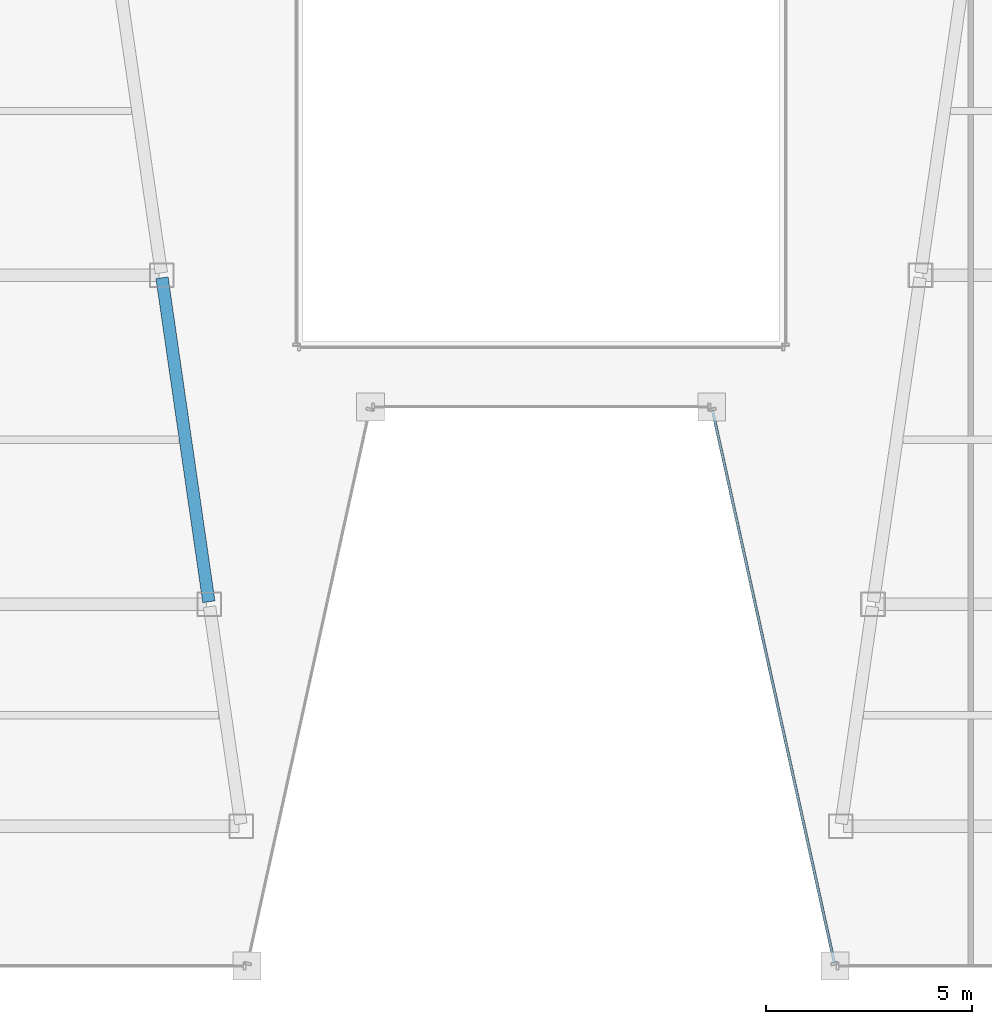
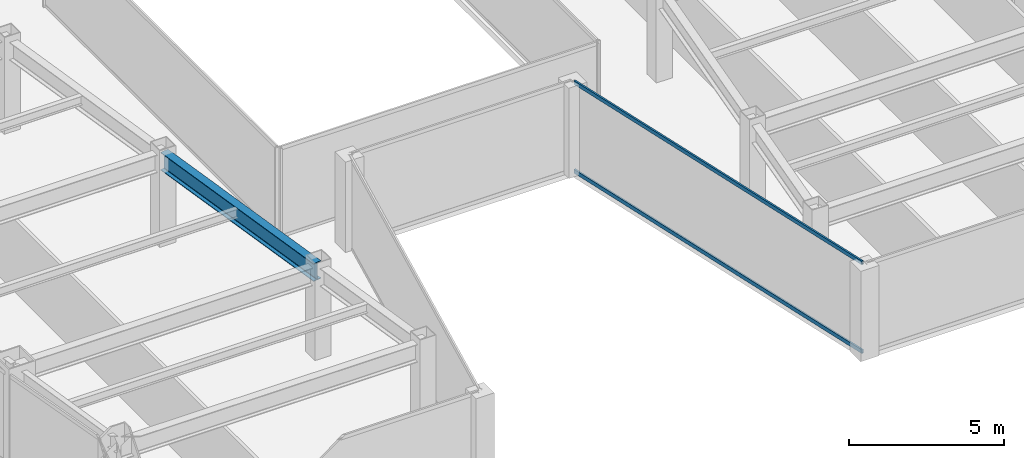
# One storey, part 6 of 37: 2 members, 1 beam, 1 element without a shape of its own.
"""IFC4 building model written with IfcOpenShell, lengths in metres."""

from ifc_helpers import new_model, si_unit, direction, frame, origin, origin_2d, place, context, subcontext, project, spatial, hollow_rectangle, i_section, extrude, material, material_profile, profile_set, type_object, element, aggregate, save


model = new_model("IFC4")

# Units and contexts
model_context = context("Model", 3, precision=1e-05, world=origin(), true_north=direction((0.0, 1.0)))
body_context = subcontext(model_context, "Body", "Model", "MODEL_VIEW")
ifc_project = project(units=[si_unit("LENGTHUNIT", "METRE"), si_unit("AREAUNIT", "SQUARE_METRE"), si_unit("VOLUMEUNIT", "CUBIC_METRE"), si_unit("PLANEANGLEUNIT", "RADIAN"), si_unit("MASSUNIT", "GRAM", prefix="KILO")], contexts=[model_context])

# Site, building, storey
site_placement = place(None, origin())
site = spatial("IfcSite", under=ifc_project, at=site_placement, CompositionType="ELEMENT")
building_placement = place(site_placement, origin())
building = spatial("IfcBuilding", under=site, at=building_placement, Name="Saevonmaru Cultural Tower", CompositionType="ELEMENT")
storey_placement = place(building_placement, frame((0.0, 0.0, 144.800048828125)))
storey = spatial("IfcBuildingStorey", under=building, at=storey_placement, Name="L31", CompositionType="ELEMENT", Elevation=144.800048828125)

# Beam
ifc_material_1 = material(Name="Steel SM355", Category="steel")
ifc_material_profile_1 = material_profile(ifc_material_1, i_section(OverallWidth=0.300048828125, OverallDepth=0.699951171875, WebThickness=0.012939453125, FlangeThickness=0.02392578125, FilletRadius=0.02587890625, at=origin_2d()), Name="H-700x300x13x24")
ifc_profile_set_1 = profile_set([ifc_material_profile_1], Name="Steel SM355")
beam_type = type_object("IfcBeamType", Name="BM-G-H700", PredefinedType="BEAM", material=ifc_profile_set_1)
beam_placement = place(storey_placement, frame((21.91943359375, 16.059326171875, 3.199951171875), z_axis=(-0.143022161059, 0.989719486241, 0.0), x_axis=(-0.989719486241, -0.143022161059, 0.0)))
element("IfcBeam", 1, at=beam_placement, inside=storey, type_object=beam_type, Name="L31 West Atrium Girder 2", PredefinedType="BEAM", context=body_context, shape_type="SweptSolid", body=[
    extrude(i_section(OverallWidth=0.300048828125, OverallDepth=0.699951171875, WebThickness=0.012939453125, FlangeThickness=0.02392578125, FilletRadius=0.02587890625, at=origin_2d()), origin(), (0.0, 0.0, 1.0), 7.963134765625),
])

# Curtain wall, members
ifc_material_2 = material(Name="Satin Bronze Anodised Aluminium", Category="aluminium")
curtain_wall_type = type_object("IfcCurtainWallType", Name="CW-TYP-A", PredefinedType="NOTDEFINED", material=ifc_material_2)
curtain_wall_placement = place(storey_placement, origin())
curtain_wall = element("IfcCurtainWall", 2, at=curtain_wall_placement, inside=storey, type_object=curtain_wall_type, Name="L31 Unitised Curtain Wall E5", PredefinedType="NOTDEFINED")
ifc_material_profile_2 = material_profile(ifc_material_2, hollow_rectangle(XDim=0.06494140625, YDim=0.14990234375, WallThickness=0.00390625, at=origin_2d()), Name="ALU-TRAN-150x65x4")
ifc_profile_set_2 = profile_set([ifc_material_profile_2], Name="Satin Bronze Anodised Aluminium")
member_type = type_object("IfcMemberType", Name="TR-CW-150x65", PredefinedType="USERDEFINED", material=ifc_profile_set_2)
member_1_placement = place(storey_placement, frame((34.1708984375, 20.709716796875, 0.032470703125), z_axis=(0.21541214732, -0.976523223885, 0.0), x_axis=(0.976523223885, 0.21541214732, 0.0)))
member_1 = element("IfcMember", 3, at=member_1_placement, type_object=member_type, Name="CW-TW-L31-E5 transom 1.1", ObjectType="TRANSOM", PredefinedType="USERDEFINED", context=body_context, shape_type="SweptSolid", body=[
    extrude(hollow_rectangle(XDim=0.06494140625, YDim=0.14990234375, WallThickness=0.00390625, at=origin_2d()), origin(), (0.0, 0.0, 1.0), 13.741943359375),
])
member_2_placement = place(storey_placement, frame((34.1708984375, 20.709716796875, 3.517333984375), z_axis=(0.21541214732, -0.976523223885, 0.0), x_axis=(0.976523223885, 0.21541214732, 0.0)))
member_2 = element("IfcMember", 4, at=member_2_placement, type_object=member_type, Name="CW-TW-L31-E5 transom 1.2", ObjectType="TRANSOM", PredefinedType="USERDEFINED", context=body_context, shape_type="SweptSolid", body=[
    extrude(hollow_rectangle(XDim=0.06494140625, YDim=0.14990234375, WallThickness=0.00390625, at=origin_2d()), origin(), (0.0, 0.0, 1.0), 13.741943359375),
])
aggregate(curtain_wall, [member_1, member_2])

save(model, "model.ifc")
